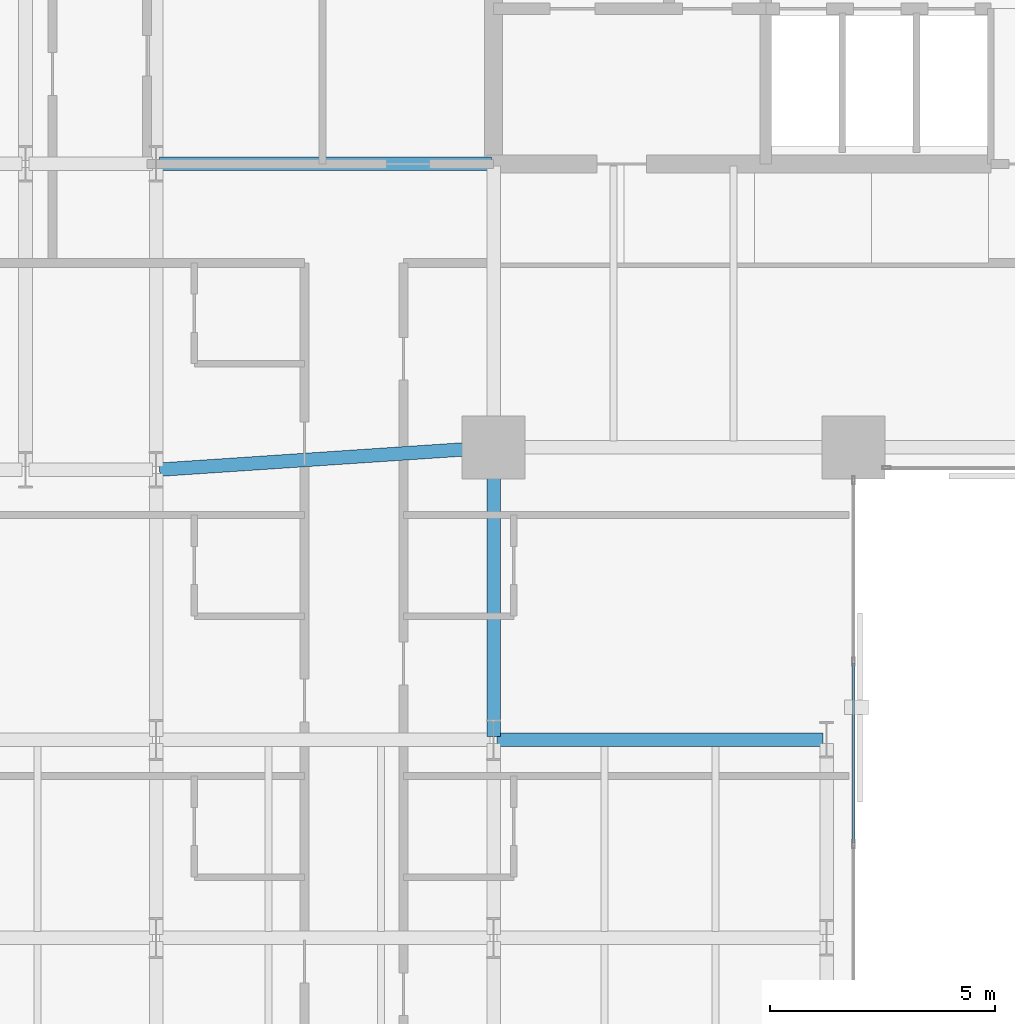
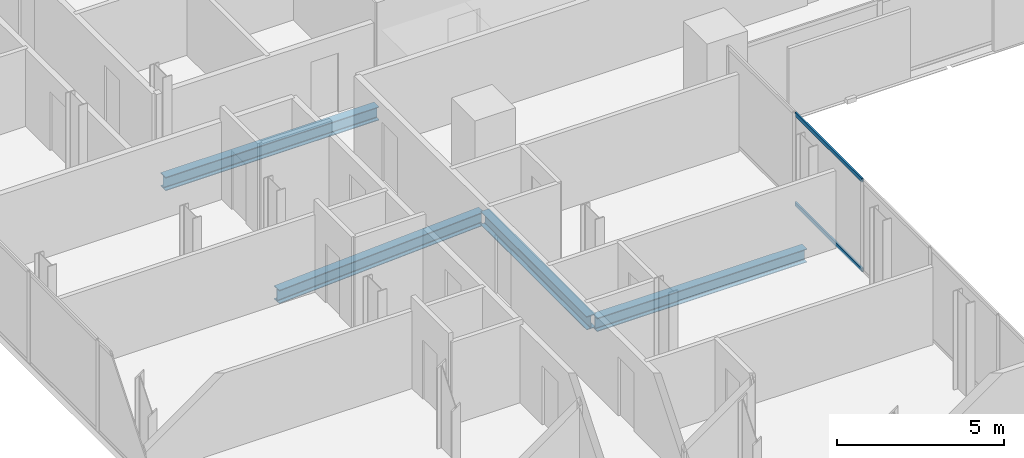
# One storey, part 12 of 32: 4 beams, 2 members, 1 element without a shape of its own.
"""IFC4 building model written with IfcOpenShell, lengths in metres."""

from ifc_helpers import new_model, si_unit, direction, frame, origin, origin_2d, place, context, subcontext, project, spatial, hollow_rectangle, i_section, extrude, material, layer, layer_set, material_profile, profile_set, type_object, element, aggregate, save


model = new_model("IFC4")

# Units and contexts
model_context = context("Model", 3, precision=1e-05, world=origin(), true_north=direction((0.0, 1.0)))
body_context = subcontext(model_context, "Body", "Model", "MODEL_VIEW")
ifc_project = project(units=[si_unit("LENGTHUNIT", "METRE"), si_unit("AREAUNIT", "SQUARE_METRE"), si_unit("VOLUMEUNIT", "CUBIC_METRE"), si_unit("PLANEANGLEUNIT", "RADIAN"), si_unit("MASSUNIT", "GRAM", prefix="KILO")], contexts=[model_context])

# Site, building, storey
site_placement = place(None, origin())
site = spatial("IfcSite", under=ifc_project, at=site_placement, CompositionType="ELEMENT")
building_placement = place(site_placement, origin())
building = spatial("IfcBuilding", under=site, at=building_placement, Name="Catumbela Crestline Tower", CompositionType="ELEMENT")
storey_placement = place(building_placement, frame((0.0, 0.0, 69.0)))
storey = spatial("IfcBuildingStorey", under=building, at=storey_placement, Name="L17", CompositionType="ELEMENT", Elevation=69.0)

# Beams
ifc_material_1 = material(Name="Structural steel S355J2", Category="steel")
ifc_material_profile_1 = material_profile(ifc_material_1, i_section(OverallWidth=0.3, OverallDepth=0.49, WebThickness=0.012, FlangeThickness=0.023, FilletRadius=0.027, at=origin_2d()), Name="HEA 500")
ifc_profile_set_1 = profile_set([ifc_material_profile_1], Name="Structural steel S355J2")
beam_type = type_object("IfcBeamType", Name="BG-HEA500", PredefinedType="BEAM", material=ifc_profile_set_1)
beam_1_placement = place(storey_placement, frame((8.5798, 24.0053, -0.505), z_axis=(0.997784796964, 0.066524423687, 0.0), x_axis=(-0.066524423687, 0.997784796964, 0.0)))
element("IfcBeam", 1, at=beam_1_placement, inside=storey, type_object=beam_type, Name="L17 Beam BM-L17-S03", PredefinedType="BEAM", context=body_context, shape_type="SweptSolid", body=[
    extrude(i_section(OverallWidth=0.3, OverallDepth=0.49, WebThickness=0.012, FlangeThickness=0.023, FilletRadius=0.027, at=origin_2d()), origin(), (0.0, 0.0, 1.0), 7.3567),
])
beam_2_placement = place(storey_placement, frame((8.58, 30.8, -0.505), z_axis=(1.0, 0.0, 0.0), x_axis=(0.0, 1.0, 0.0)))
element("IfcBeam", 2, at=beam_2_placement, inside=storey, type_object=beam_type, Name="L17 Beam BM-L17-M09", PredefinedType="BEAM", context=body_context, shape_type="SweptSolid", body=[
    extrude(i_section(OverallWidth=0.3, OverallDepth=0.49, WebThickness=0.012, FlangeThickness=0.023, FilletRadius=0.027, at=origin_2d()), origin(), (0.0, 0.0, 1.0), 7.37),
])
beam_3_placement = place(storey_placement, frame((16.08, 18.0, -0.505), z_axis=(1.0, 0.0, 0.0), x_axis=(0.0, 1.0, 0.0)))
element("IfcBeam", 3, at=beam_3_placement, inside=storey, type_object=beam_type, Name="L17 Beam BM-L17-WEW56", PredefinedType="BEAM", context=body_context, shape_type="SweptSolid", body=[
    extrude(i_section(OverallWidth=0.3, OverallDepth=0.49, WebThickness=0.012, FlangeThickness=0.023, FilletRadius=0.027, at=origin_2d()), origin(), (0.0, 0.0, 1.0), 7.24),
])
beam_4_placement = place(storey_placement, frame((16.0, 18.08, -0.505), z_axis=(0.0, 1.0, 0.0), x_axis=(-1.0, 0.0, 0.0)))
element("IfcBeam", 4, at=beam_4_placement, inside=storey, type_object=beam_type, Name="L17 Beam BM-L17-WNS67", PredefinedType="BEAM", context=body_context, shape_type="SweptSolid", body=[
    extrude(i_section(OverallWidth=0.3, OverallDepth=0.49, WebThickness=0.012, FlangeThickness=0.023, FilletRadius=0.027, at=origin_2d()), origin(), (0.0, 0.0, 1.0), 6.34),
])

# Curtain wall, members
ifc_material_2 = material(Name="Aluminium alloy AW-6060-T66", Category="aluminium")
ifc_layer = layer(ifc_material_2, 0.18, Name="Aluminium alloy AW-6060-T66")
ifc_layer_set = layer_set([ifc_layer], Name="Aluminium alloy AW-6060-T66")
curtain_wall_type = type_object("IfcCurtainWallType", Name="CWU-Z1", PredefinedType="USERDEFINED", material=ifc_layer_set)
curtain_wall_placement = place(storey_placement, origin())
curtain_wall = element("IfcCurtainWall", 5, at=curtain_wall_placement, inside=storey, type_object=curtain_wall_type, Name="L17 Unitised Curtain Wall CW-L17-E2S1", ObjectType="UNITISED", PredefinedType="USERDEFINED")
ifc_material_profile_2 = material_profile(ifc_material_2, hollow_rectangle(XDim=0.06, YDim=0.14, WallThickness=0.004, at=origin_2d()), Name="ALU 140x60x4")
ifc_profile_set_2 = profile_set([ifc_material_profile_2], Name="Aluminium alloy AW-6060-T66")
member_type = type_object("IfcMemberType", Name="TRN-140X60", PredefinedType="USERDEFINED", material=ifc_profile_set_2)
member_1_placement = place(storey_placement, frame((24.0, 15.7125, 0.03), z_axis=(0.0, 1.0, 0.0), x_axis=(-1.0, 0.0, 0.0)))
member_1 = element("IfcMember", 6, at=member_1_placement, type_object=member_type, Name="CWU-Z1 transom 4.1", ObjectType="TRANSOM", PredefinedType="USERDEFINED", context=body_context, shape_type="SweptSolid", body=[
    extrude(hollow_rectangle(XDim=0.06, YDim=0.14, WallThickness=0.004, at=origin_2d()), origin(), (0.0, 0.0, 1.0), 3.995),
])
member_2_placement = place(storey_placement, frame((24.0, 15.7125, 3.3), z_axis=(0.0, 1.0, 0.0), x_axis=(-1.0, 0.0, 0.0)))
member_2 = element("IfcMember", 7, at=member_2_placement, type_object=member_type, Name="CWU-Z1 transom 4.2", ObjectType="TRANSOM", PredefinedType="USERDEFINED", context=body_context, shape_type="SweptSolid", body=[
    extrude(hollow_rectangle(XDim=0.06, YDim=0.14, WallThickness=0.004, at=origin_2d()), origin(), (0.0, 0.0, 1.0), 3.995),
])
aggregate(curtain_wall, [member_1, member_2])

save(model, "model.ifc")
